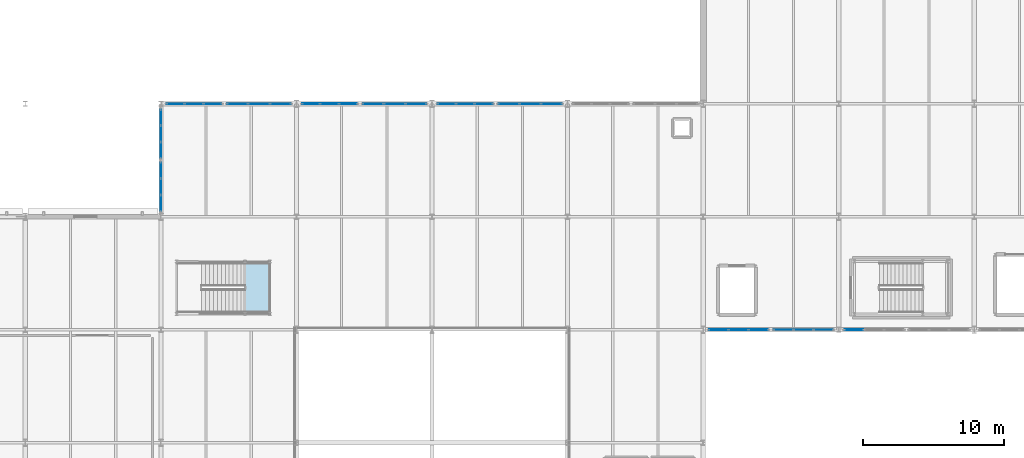
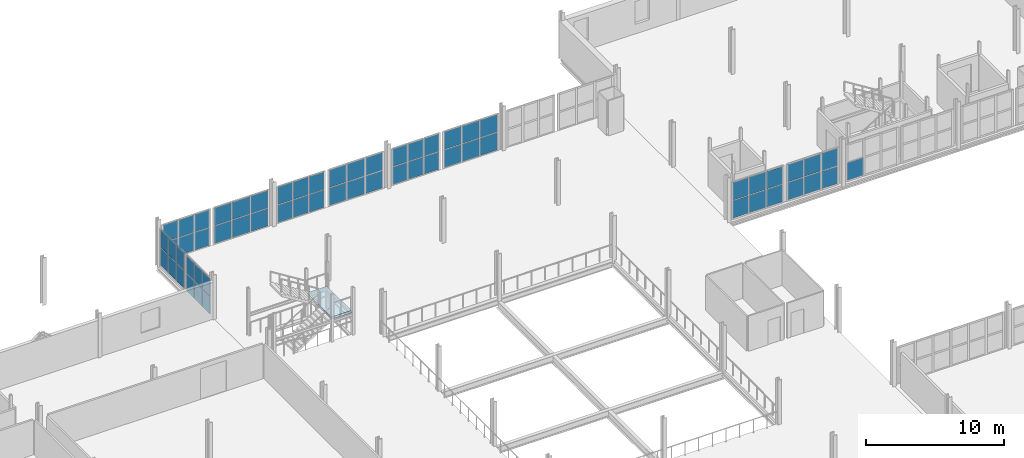
# One storey, part 51 of 78: 61 plates, 1 slab, 12 elements without a shape of their own.
"""IFC4 building model written with IfcOpenShell, lengths in metres."""

from ifc_helpers import new_model, si_unit, direction, frame, origin, origin_2d, place, context, subcontext, project, spatial, polyline, rectangle, outline, extrude, material, layer, layer_set, type_object, element, aggregate, save


model = new_model("IFC4")

# Units and contexts
model_context = context("Model", 3, precision=1e-05, world=origin(), true_north=direction((0.0, 1.0)))
body_context = subcontext(model_context, "Body", "Model", "MODEL_VIEW")
ifc_project = project(units=[si_unit("LENGTHUNIT", "METRE"), si_unit("AREAUNIT", "SQUARE_METRE"), si_unit("VOLUMEUNIT", "CUBIC_METRE"), si_unit("PLANEANGLEUNIT", "RADIAN"), si_unit("MASSUNIT", "GRAM", prefix="KILO")], contexts=[model_context])

# Site, building, storey
site_placement = place(None, origin())
site = spatial("IfcSite", under=ifc_project, at=site_placement, CompositionType="ELEMENT")
building_placement = place(site_placement, origin())
building = spatial("IfcBuilding", under=site, at=building_placement, Name="Alderhovde Museum", CompositionType="ELEMENT")
storey_placement = place(building_placement, frame((0.0, 0.0, 4.5)))
storey = spatial("IfcBuildingStorey", under=building, at=storey_placement, Name="L01", CompositionType="ELEMENT", Elevation=4.5)

# Curtain wall, plates
ifc_material_1 = material(Name="Triple-Glazed Bronze-Anodised Curtain Wall", Category="glass")
ifc_layer_1 = layer(ifc_material_1, 0.179931640625)
ifc_layer_set_1 = layer_set([ifc_layer_1], Name="Triple-Glazed Bronze-Anodised Curtain Wall")
curtain_wall_type_1 = type_object("IfcCurtainWallType", Name="CW-UNIT-459x326", PredefinedType="USERDEFINED", material=ifc_layer_set_1)
curtain_wall_1_placement = place(storey_placement, origin())
curtain_wall_1 = element("IfcCurtainWall", 1, at=curtain_wall_1_placement, inside=storey, type_object=curtain_wall_type_1, Name="L01 Unitised Curtain Wall 20", ObjectType="UNITISED CURTAIN WALL", PredefinedType="USERDEFINED")
ifc_material_2 = material(Name="Triple-Glazed Low-E Laminated Glass", Category="glass")
ifc_layer_2 = layer(ifc_material_2, 0.028076171875)
ifc_layer_set_2 = layer_set([ifc_layer_2], Name="Triple-Glazed Low-E Laminated Glass")
plate_type_1 = type_object("IfcPlateType", Name="CWP-GLAZ-28", PredefinedType="CURTAIN_PANEL", material=ifc_layer_set_2)
plate_1_placement = place(storey_placement, frame((91.8330078125, 88.0, 0.06494140625), z_axis=(0.0, 0.0, 1.0), x_axis=(1.0, 0.0, 0.0)))
plate_1 = element("IfcPlate", 2, at=plate_1_placement, type_object=plate_type_1, Name="CW09 panel 1.1", PredefinedType="CURTAIN_PANEL", context=body_context, shape_type="SweptSolid", body=[
    extrude(rectangle(XDim=1.435791015625, YDim=0.028076171875, at=origin_2d()), origin(), (0.0, 0.0, 1.0), 1.532470703125),
])
plate_2_placement = place(storey_placement, frame((91.8330078125, 88.0, 1.66259765625), z_axis=(0.0, 0.0, 1.0), x_axis=(1.0, 0.0, 0.0)))
plate_2 = element("IfcPlate", 3, at=plate_2_placement, type_object=plate_type_1, Name="CW09 panel 1.2", PredefinedType="CURTAIN_PANEL", context=body_context, shape_type="SweptSolid", body=[
    extrude(rectangle(XDim=1.435791015625, YDim=0.028076171875, at=origin_2d()), origin(), (0.0, 0.0, 1.0), 1.532470703125),
])
plate_3_placement = place(storey_placement, frame((93.35009765625, 88.0, 0.06494140625), z_axis=(0.0, 0.0, 1.0), x_axis=(1.0, 0.0, 0.0)))
plate_3 = element("IfcPlate", 4, at=plate_3_placement, type_object=plate_type_1, Name="CW09 panel 2.1", PredefinedType="CURTAIN_PANEL", context=body_context, shape_type="SweptSolid", body=[
    extrude(rectangle(XDim=1.46826171875, YDim=0.028076171875, at=origin_2d()), origin(), (0.0, 0.0, 1.0), 1.532470703125),
])
plate_4_placement = place(storey_placement, frame((93.35009765625, 88.0, 1.66259765625), z_axis=(0.0, 0.0, 1.0), x_axis=(1.0, 0.0, 0.0)))
plate_4 = element("IfcPlate", 5, at=plate_4_placement, type_object=plate_type_1, Name="CW09 panel 2.2", PredefinedType="CURTAIN_PANEL", context=body_context, shape_type="SweptSolid", body=[
    extrude(rectangle(XDim=1.46826171875, YDim=0.028076171875, at=origin_2d()), origin(), (0.0, 0.0, 1.0), 1.532470703125),
])
plate_5_placement = place(storey_placement, frame((94.8671875, 88.0, 0.06494140625), z_axis=(0.0, 0.0, 1.0), x_axis=(1.0, 0.0, 0.0)))
plate_5 = element("IfcPlate", 6, at=plate_5_placement, type_object=plate_type_1, Name="CW09 panel 3.1", PredefinedType="CURTAIN_PANEL", context=body_context, shape_type="SweptSolid", body=[
    extrude(rectangle(XDim=1.435791015625, YDim=0.028076171875, at=origin_2d()), origin(), (0.0, 0.0, 1.0), 1.532470703125),
])
plate_6_placement = place(storey_placement, frame((94.8671875, 88.0, 1.66259765625), z_axis=(0.0, 0.0, 1.0), x_axis=(1.0, 0.0, 0.0)))
plate_6 = element("IfcPlate", 7, at=plate_6_placement, type_object=plate_type_1, Name="CW09 panel 3.2", PredefinedType="CURTAIN_PANEL", context=body_context, shape_type="SweptSolid", body=[
    extrude(rectangle(XDim=1.435791015625, YDim=0.028076171875, at=origin_2d()), origin(), (0.0, 0.0, 1.0), 1.532470703125),
])
aggregate(curtain_wall_1, [plate_1, plate_2, plate_3, plate_4, plate_5, plate_6])

ifc_material_3 = material(Name="Triple-Glazed Bronze-Anodised Curtain Wall", Category="glass")
ifc_layer_3 = layer(ifc_material_3, 0.179931640625)
ifc_layer_set_3 = layer_set([ifc_layer_3], Name="Triple-Glazed Bronze-Anodised Curtain Wall")
curtain_wall_type_2 = type_object("IfcCurtainWallType", Name="CW-STIC-430x326", PredefinedType="USERDEFINED", material=ifc_layer_set_3)
curtain_wall_2_placement = place(storey_placement, origin())
curtain_wall_2 = element("IfcCurtainWall", 8, at=curtain_wall_2_placement, inside=storey, type_object=curtain_wall_type_2, Name="L01 Stick Curtain Wall 144", ObjectType="STICK CURTAIN WALL", PredefinedType="USERDEFINED")
plate_7_placement = place(storey_placement, frame((120.8828125, 72.0, 0.06494140625), z_axis=(0.0, 0.0, 1.0), x_axis=(1.0, 0.0, 0.0)))
plate_7 = element("IfcPlate", 9, at=plate_7_placement, type_object=plate_type_1, Name="CW34 panel 1.1", PredefinedType="CURTAIN_PANEL", context=body_context, shape_type="SweptSolid", body=[
    extrude(rectangle(XDim=1.3359375, YDim=0.028076171875, at=origin_2d()), origin(), (0.0, 0.0, 1.0), 1.532470703125),
])
plate_8_placement = place(storey_placement, frame((120.8828125, 72.0, 1.66259765625), z_axis=(0.0, 0.0, 1.0), x_axis=(1.0, 0.0, 0.0)))
plate_8 = element("IfcPlate", 10, at=plate_8_placement, type_object=plate_type_1, Name="CW34 panel 1.2", PredefinedType="CURTAIN_PANEL", context=body_context, shape_type="SweptSolid", body=[
    extrude(rectangle(XDim=1.3359375, YDim=0.028076171875, at=origin_2d()), origin(), (0.0, 0.0, 1.0), 1.532470703125),
])
plate_9_placement = place(storey_placement, frame((122.300048828125, 72.0, 0.06494140625), z_axis=(0.0, 0.0, 1.0), x_axis=(1.0, 0.0, 0.0)))
plate_9 = element("IfcPlate", 11, at=plate_9_placement, type_object=plate_type_1, Name="CW34 panel 2.1", PredefinedType="CURTAIN_PANEL", context=body_context, shape_type="SweptSolid", body=[
    extrude(rectangle(XDim=1.368408203125, YDim=0.028076171875, at=origin_2d()), origin(), (0.0, 0.0, 1.0), 1.532470703125),
])
plate_10_placement = place(storey_placement, frame((122.300048828125, 72.0, 1.66259765625), z_axis=(0.0, 0.0, 1.0), x_axis=(1.0, 0.0, 0.0)))
plate_10 = element("IfcPlate", 12, at=plate_10_placement, type_object=plate_type_1, Name="CW34 panel 2.2", PredefinedType="CURTAIN_PANEL", context=body_context, shape_type="SweptSolid", body=[
    extrude(rectangle(XDim=1.368408203125, YDim=0.028076171875, at=origin_2d()), origin(), (0.0, 0.0, 1.0), 1.532470703125),
])
plate_11_placement = place(storey_placement, frame((123.717041015625, 72.0, 0.06494140625), z_axis=(0.0, 0.0, 1.0), x_axis=(1.0, 0.0, 0.0)))
plate_11 = element("IfcPlate", 13, at=plate_11_placement, type_object=plate_type_1, Name="CW34 panel 3.1", PredefinedType="CURTAIN_PANEL", context=body_context, shape_type="SweptSolid", body=[
    extrude(rectangle(XDim=1.3359375, YDim=0.028076171875, at=origin_2d()), origin(), (0.0, 0.0, 1.0), 1.532470703125),
])
plate_12_placement = place(storey_placement, frame((123.717041015625, 72.0, 1.66259765625), z_axis=(0.0, 0.0, 1.0), x_axis=(1.0, 0.0, 0.0)))
plate_12 = element("IfcPlate", 14, at=plate_12_placement, type_object=plate_type_1, Name="CW34 panel 3.2", PredefinedType="CURTAIN_PANEL", context=body_context, shape_type="SweptSolid", body=[
    extrude(rectangle(XDim=1.3359375, YDim=0.028076171875, at=origin_2d()), origin(), (0.0, 0.0, 1.0), 1.532470703125),
])
aggregate(curtain_wall_2, [plate_7, plate_8, plate_9, plate_10, plate_11, plate_12])

ifc_material_4 = material(Name="Triple-Glazed Bronze-Anodised Curtain Wall", Category="glass")
ifc_layer_4 = layer(ifc_material_4, 0.179931640625)
ifc_layer_set_4 = layer_set([ifc_layer_4], Name="Triple-Glazed Bronze-Anodised Curtain Wall")
curtain_wall_type_3 = type_object("IfcCurtainWallType", Name="CW-UNIT-400x326", PredefinedType="USERDEFINED", material=ifc_layer_set_4)
curtain_wall_3_placement = place(storey_placement, origin())
curtain_wall_3 = element("IfcCurtainWall", 15, at=curtain_wall_3_placement, inside=storey, type_object=curtain_wall_type_3, Name="L01 Unitised Curtain Wall 17", ObjectType="UNITISED CURTAIN WALL", PredefinedType="USERDEFINED")
ifc_material_5 = material(Name="Triple-Glazed Low-E Laminated Glass", Category="glass")
ifc_layer_5 = layer(ifc_material_5, 0.035888671875)
ifc_layer_set_5 = layer_set([ifc_layer_5], Name="Triple-Glazed Low-E Laminated Glass")
plate_type_2 = type_object("IfcPlateType", Name="CWP-GLAZ-36", PredefinedType="CURTAIN_PANEL", material=ifc_layer_set_5)
plate_13_placement = place(storey_placement, frame((77.8330078125, 88.0, 0.06494140625), z_axis=(0.0, 0.0, 1.0), x_axis=(1.0, 0.0, 0.0)))
plate_13 = element("IfcPlate", 16, at=plate_13_placement, type_object=plate_type_2, Name="CW08 panel 1.1", PredefinedType="CURTAIN_PANEL", context=body_context, shape_type="SweptSolid", body=[
    extrude(rectangle(XDim=1.23583984375, YDim=0.035888671875, at=origin_2d()), origin(), (0.0, 0.0, 1.0), 1.532470703125),
])
plate_14_placement = place(storey_placement, frame((77.8330078125, 88.0, 1.66259765625), z_axis=(0.0, 0.0, 1.0), x_axis=(1.0, 0.0, 0.0)))
plate_14 = element("IfcPlate", 17, at=plate_14_placement, type_object=plate_type_2, Name="CW08 panel 1.2", PredefinedType="CURTAIN_PANEL", context=body_context, shape_type="SweptSolid", body=[
    extrude(rectangle(XDim=1.23583984375, YDim=0.035888671875, at=origin_2d()), origin(), (0.0, 0.0, 1.0), 1.532470703125),
])
plate_15_placement = place(storey_placement, frame((79.14990234375, 88.0, 0.06494140625), z_axis=(0.0, 0.0, 1.0), x_axis=(1.0, 0.0, 0.0)))
plate_15 = element("IfcPlate", 18, at=plate_15_placement, type_object=plate_type_2, Name="CW08 panel 2.1", PredefinedType="CURTAIN_PANEL", context=body_context, shape_type="SweptSolid", body=[
    extrude(rectangle(XDim=1.268310546875, YDim=0.035888671875, at=origin_2d()), origin(), (0.0, 0.0, 1.0), 1.532470703125),
])
plate_16_placement = place(storey_placement, frame((79.14990234375, 88.0, 1.66259765625), z_axis=(0.0, 0.0, 1.0), x_axis=(1.0, 0.0, 0.0)))
plate_16 = element("IfcPlate", 19, at=plate_16_placement, type_object=plate_type_2, Name="CW08 panel 2.2", PredefinedType="CURTAIN_PANEL", context=body_context, shape_type="SweptSolid", body=[
    extrude(rectangle(XDim=1.268310546875, YDim=0.035888671875, at=origin_2d()), origin(), (0.0, 0.0, 1.0), 1.532470703125),
])
plate_17_placement = place(storey_placement, frame((80.467041015625, 88.0, 0.06494140625), z_axis=(0.0, 0.0, 1.0), x_axis=(1.0, 0.0, 0.0)))
plate_17 = element("IfcPlate", 20, at=plate_17_placement, type_object=plate_type_2, Name="CW08 panel 3.1", PredefinedType="CURTAIN_PANEL", context=body_context, shape_type="SweptSolid", body=[
    extrude(rectangle(XDim=1.23583984375, YDim=0.035888671875, at=origin_2d()), origin(), (0.0, 0.0, 1.0), 1.532470703125),
])
plate_18_placement = place(storey_placement, frame((80.467041015625, 88.0, 1.66259765625), z_axis=(0.0, 0.0, 1.0), x_axis=(1.0, 0.0, 0.0)))
plate_18 = element("IfcPlate", 21, at=plate_18_placement, type_object=plate_type_2, Name="CW08 panel 3.2", PredefinedType="CURTAIN_PANEL", context=body_context, shape_type="SweptSolid", body=[
    extrude(rectangle(XDim=1.23583984375, YDim=0.035888671875, at=origin_2d()), origin(), (0.0, 0.0, 1.0), 1.532470703125),
])
aggregate(curtain_wall_3, [plate_13, plate_14, plate_15, plate_16, plate_17, plate_18])

curtain_wall_4_placement = place(storey_placement, origin())
curtain_wall_4 = element("IfcCurtainWall", 22, at=curtain_wall_4_placement, inside=storey, type_object=curtain_wall_type_3, Name="L01 Unitised Curtain Wall 21", ObjectType="UNITISED CURTAIN WALL", PredefinedType="USERDEFINED")
plate_19_placement = place(storey_placement, frame((97.032958984375, 88.0, 0.06494140625), z_axis=(0.0, 0.0, 1.0), x_axis=(1.0, 0.0, 0.0)))
plate_19 = element("IfcPlate", 23, at=plate_19_placement, type_object=plate_type_2, Name="CW08 panel 1.1", PredefinedType="CURTAIN_PANEL", context=body_context, shape_type="SweptSolid", body=[
    extrude(rectangle(XDim=1.23583984375, YDim=0.035888671875, at=origin_2d()), origin(), (0.0, 0.0, 1.0), 1.532470703125),
])
plate_20_placement = place(storey_placement, frame((97.032958984375, 88.0, 1.66259765625), z_axis=(0.0, 0.0, 1.0), x_axis=(1.0, 0.0, 0.0)))
plate_20 = element("IfcPlate", 24, at=plate_20_placement, type_object=plate_type_2, Name="CW08 panel 1.2", PredefinedType="CURTAIN_PANEL", context=body_context, shape_type="SweptSolid", body=[
    extrude(rectangle(XDim=1.23583984375, YDim=0.035888671875, at=origin_2d()), origin(), (0.0, 0.0, 1.0), 1.532470703125),
])
plate_21_placement = place(storey_placement, frame((98.35009765625, 88.0, 0.06494140625), z_axis=(0.0, 0.0, 1.0), x_axis=(1.0, 0.0, 0.0)))
plate_21 = element("IfcPlate", 25, at=plate_21_placement, type_object=plate_type_2, Name="CW08 panel 2.1", PredefinedType="CURTAIN_PANEL", context=body_context, shape_type="SweptSolid", body=[
    extrude(rectangle(XDim=1.268310546875, YDim=0.035888671875, at=origin_2d()), origin(), (0.0, 0.0, 1.0), 1.532470703125),
])
plate_22_placement = place(storey_placement, frame((98.35009765625, 88.0, 1.66259765625), z_axis=(0.0, 0.0, 1.0), x_axis=(1.0, 0.0, 0.0)))
plate_22 = element("IfcPlate", 26, at=plate_22_placement, type_object=plate_type_2, Name="CW08 panel 2.2", PredefinedType="CURTAIN_PANEL", context=body_context, shape_type="SweptSolid", body=[
    extrude(rectangle(XDim=1.268310546875, YDim=0.035888671875, at=origin_2d()), origin(), (0.0, 0.0, 1.0), 1.532470703125),
])
plate_23_placement = place(storey_placement, frame((99.6669921875, 88.0, 0.06494140625), z_axis=(0.0, 0.0, 1.0), x_axis=(1.0, 0.0, 0.0)))
plate_23 = element("IfcPlate", 27, at=plate_23_placement, type_object=plate_type_2, Name="CW08 panel 3.1", PredefinedType="CURTAIN_PANEL", context=body_context, shape_type="SweptSolid", body=[
    extrude(rectangle(XDim=1.23583984375, YDim=0.035888671875, at=origin_2d()), origin(), (0.0, 0.0, 1.0), 1.532470703125),
])
plate_24_placement = place(storey_placement, frame((99.6669921875, 88.0, 1.66259765625), z_axis=(0.0, 0.0, 1.0), x_axis=(1.0, 0.0, 0.0)))
plate_24 = element("IfcPlate", 28, at=plate_24_placement, type_object=plate_type_2, Name="CW08 panel 3.2", PredefinedType="CURTAIN_PANEL", context=body_context, shape_type="SweptSolid", body=[
    extrude(rectangle(XDim=1.23583984375, YDim=0.035888671875, at=origin_2d()), origin(), (0.0, 0.0, 1.0), 1.532470703125),
])
aggregate(curtain_wall_4, [plate_19, plate_20, plate_21, plate_22, plate_23, plate_24])

ifc_material_6 = material(Name="Triple-Glazed Bronze-Anodised Curtain Wall", Category="glass")
ifc_layer_6 = layer(ifc_material_6, 0.219970703125)
ifc_layer_set_6 = layer_set([ifc_layer_6], Name="Triple-Glazed Bronze-Anodised Curtain Wall")
curtain_wall_type_4 = type_object("IfcCurtainWallType", Name="CW-STIC-355x326", PredefinedType="USERDEFINED", material=ifc_layer_set_6)
curtain_wall_5_placement = place(storey_placement, origin())
curtain_wall_5 = element("IfcCurtainWall", 29, at=curtain_wall_5_placement, inside=storey, type_object=curtain_wall_type_4, Name="L01 Stick Curtain Wall 25", ObjectType="STICK CURTAIN WALL", PredefinedType="USERDEFINED")
plate_25_placement = place(storey_placement, frame((76.800048828125, 80.9580078125, 0.06494140625), z_axis=(0.0, 0.0, 1.0), x_axis=(0.0, 1.0, 0.0)))
plate_25 = element("IfcPlate", 30, at=plate_25_placement, type_object=plate_type_2, Name="CW05 panel 1.1", PredefinedType="CURTAIN_PANEL", context=body_context, shape_type="SweptSolid", body=[
    extrude(rectangle(XDim=1.0859375, YDim=0.035888671875, at=origin_2d()), origin(), (0.0, 0.0, 1.0), 1.532470703125),
])
plate_26_placement = place(storey_placement, frame((76.800048828125, 80.9580078125, 1.66259765625), z_axis=(0.0, 0.0, 1.0), x_axis=(0.0, 1.0, 0.0)))
plate_26 = element("IfcPlate", 31, at=plate_26_placement, type_object=plate_type_2, Name="CW05 panel 1.2", PredefinedType="CURTAIN_PANEL", context=body_context, shape_type="SweptSolid", body=[
    extrude(rectangle(XDim=1.0859375, YDim=0.035888671875, at=origin_2d()), origin(), (0.0, 0.0, 1.0), 1.532470703125),
])
plate_27_placement = place(storey_placement, frame((76.800048828125, 82.125, 0.06494140625), z_axis=(0.0, 0.0, 1.0), x_axis=(0.0, 1.0, 0.0)))
plate_27 = element("IfcPlate", 32, at=plate_27_placement, type_object=plate_type_2, Name="CW05 panel 2.1", PredefinedType="CURTAIN_PANEL", context=body_context, shape_type="SweptSolid", body=[
    extrude(rectangle(XDim=1.118408203125, YDim=0.035888671875, at=origin_2d()), origin(), (0.0, 0.0, 1.0), 1.532470703125),
])
plate_28_placement = place(storey_placement, frame((76.800048828125, 82.125, 1.66259765625), z_axis=(0.0, 0.0, 1.0), x_axis=(0.0, 1.0, 0.0)))
plate_28 = element("IfcPlate", 33, at=plate_28_placement, type_object=plate_type_2, Name="CW05 panel 2.2", PredefinedType="CURTAIN_PANEL", context=body_context, shape_type="SweptSolid", body=[
    extrude(rectangle(XDim=1.118408203125, YDim=0.035888671875, at=origin_2d()), origin(), (0.0, 0.0, 1.0), 1.532470703125),
])
plate_29_placement = place(storey_placement, frame((76.800048828125, 83.2919921875, 0.06494140625), z_axis=(0.0, 0.0, 1.0), x_axis=(0.0, 1.0, 0.0)))
plate_29 = element("IfcPlate", 34, at=plate_29_placement, type_object=plate_type_2, Name="CW05 panel 3.1", PredefinedType="CURTAIN_PANEL", context=body_context, shape_type="SweptSolid", body=[
    extrude(rectangle(XDim=1.0859375, YDim=0.035888671875, at=origin_2d()), origin(), (0.0, 0.0, 1.0), 1.532470703125),
])
plate_30_placement = place(storey_placement, frame((76.800048828125, 83.2919921875, 1.66259765625), z_axis=(0.0, 0.0, 1.0), x_axis=(0.0, 1.0, 0.0)))
plate_30 = element("IfcPlate", 35, at=plate_30_placement, type_object=plate_type_2, Name="CW05 panel 3.2", PredefinedType="CURTAIN_PANEL", context=body_context, shape_type="SweptSolid", body=[
    extrude(rectangle(XDim=1.0859375, YDim=0.035888671875, at=origin_2d()), origin(), (0.0, 0.0, 1.0), 1.532470703125),
])
aggregate(curtain_wall_5, [plate_25, plate_26, plate_27, plate_28, plate_29, plate_30])

curtain_wall_6_placement = place(storey_placement, origin())
curtain_wall_6 = element("IfcCurtainWall", 36, at=curtain_wall_6_placement, inside=storey, type_object=curtain_wall_type_1, Name="L01 Unitised Curtain Wall 18", ObjectType="UNITISED CURTAIN WALL", PredefinedType="USERDEFINED")
ifc_material_7 = material(Name="Triple-Glazed Low-E Laminated Glass", Category="glass")
ifc_layer_7 = layer(ifc_material_7, 0.0439453125)
ifc_layer_set_7 = layer_set([ifc_layer_7], Name="Triple-Glazed Low-E Laminated Glass")
plate_type_3 = type_object("IfcPlateType", Name="CWP-GLAZ-44", PredefinedType="CURTAIN_PANEL", material=ifc_layer_set_7)
plate_31_placement = place(storey_placement, frame((82.23291015625, 88.0, 0.06494140625), z_axis=(0.0, 0.0, 1.0), x_axis=(1.0, 0.0, 0.0)))
plate_31 = element("IfcPlate", 37, at=plate_31_placement, type_object=plate_type_3, Name="CW09 panel 1.1", PredefinedType="CURTAIN_PANEL", context=body_context, shape_type="SweptSolid", body=[
    extrude(rectangle(XDim=1.435791015625, YDim=0.0439453125, at=origin_2d()), origin(), (0.0, 0.0, 1.0), 1.532470703125),
])
plate_32_placement = place(storey_placement, frame((82.23291015625, 88.0, 1.66259765625), z_axis=(0.0, 0.0, 1.0), x_axis=(1.0, 0.0, 0.0)))
plate_32 = element("IfcPlate", 38, at=plate_32_placement, type_object=plate_type_3, Name="CW09 panel 1.2", PredefinedType="CURTAIN_PANEL", context=body_context, shape_type="SweptSolid", body=[
    extrude(rectangle(XDim=1.435791015625, YDim=0.0439453125, at=origin_2d()), origin(), (0.0, 0.0, 1.0), 1.532470703125),
])
plate_33_placement = place(storey_placement, frame((83.75, 88.0, 0.06494140625), z_axis=(0.0, 0.0, 1.0), x_axis=(1.0, 0.0, 0.0)))
plate_33 = element("IfcPlate", 39, at=plate_33_placement, type_object=plate_type_3, Name="CW09 panel 2.1", PredefinedType="CURTAIN_PANEL", context=body_context, shape_type="SweptSolid", body=[
    extrude(rectangle(XDim=1.46826171875, YDim=0.0439453125, at=origin_2d()), origin(), (0.0, 0.0, 1.0), 1.532470703125),
])
plate_34_placement = place(storey_placement, frame((83.75, 88.0, 1.66259765625), z_axis=(0.0, 0.0, 1.0), x_axis=(1.0, 0.0, 0.0)))
plate_34 = element("IfcPlate", 40, at=plate_34_placement, type_object=plate_type_3, Name="CW09 panel 2.2", PredefinedType="CURTAIN_PANEL", context=body_context, shape_type="SweptSolid", body=[
    extrude(rectangle(XDim=1.46826171875, YDim=0.0439453125, at=origin_2d()), origin(), (0.0, 0.0, 1.0), 1.532470703125),
])
plate_35_placement = place(storey_placement, frame((85.26708984375, 88.0, 0.06494140625), z_axis=(0.0, 0.0, 1.0), x_axis=(1.0, 0.0, 0.0)))
plate_35 = element("IfcPlate", 41, at=plate_35_placement, type_object=plate_type_3, Name="CW09 panel 3.1", PredefinedType="CURTAIN_PANEL", context=body_context, shape_type="SweptSolid", body=[
    extrude(rectangle(XDim=1.435791015625, YDim=0.0439453125, at=origin_2d()), origin(), (0.0, 0.0, 1.0), 1.532470703125),
])
plate_36_placement = place(storey_placement, frame((85.26708984375, 88.0, 1.66259765625), z_axis=(0.0, 0.0, 1.0), x_axis=(1.0, 0.0, 0.0)))
plate_36 = element("IfcPlate", 42, at=plate_36_placement, type_object=plate_type_3, Name="CW09 panel 3.2", PredefinedType="CURTAIN_PANEL", context=body_context, shape_type="SweptSolid", body=[
    extrude(rectangle(XDim=1.435791015625, YDim=0.0439453125, at=origin_2d()), origin(), (0.0, 0.0, 1.0), 1.532470703125),
])
aggregate(curtain_wall_6, [plate_31, plate_32, plate_33, plate_34, plate_35, plate_36])

curtain_wall_7_placement = place(storey_placement, origin())
curtain_wall_7 = element("IfcCurtainWall", 43, at=curtain_wall_7_placement, inside=storey, type_object=curtain_wall_type_1, Name="L01 Unitised Curtain Wall 22", ObjectType="UNITISED CURTAIN WALL", PredefinedType="USERDEFINED")
plate_37_placement = place(storey_placement, frame((101.432861328125, 88.0, 0.06494140625), z_axis=(0.0, 0.0, 1.0), x_axis=(1.0, 0.0, 0.0)))
plate_37 = element("IfcPlate", 44, at=plate_37_placement, type_object=plate_type_3, Name="CW09 panel 1.1", PredefinedType="CURTAIN_PANEL", context=body_context, shape_type="SweptSolid", body=[
    extrude(rectangle(XDim=1.435791015625, YDim=0.0439453125, at=origin_2d()), origin(), (0.0, 0.0, 1.0), 1.532470703125),
])
plate_38_placement = place(storey_placement, frame((101.432861328125, 88.0, 1.66259765625), z_axis=(0.0, 0.0, 1.0), x_axis=(1.0, 0.0, 0.0)))
plate_38 = element("IfcPlate", 45, at=plate_38_placement, type_object=plate_type_3, Name="CW09 panel 1.2", PredefinedType="CURTAIN_PANEL", context=body_context, shape_type="SweptSolid", body=[
    extrude(rectangle(XDim=1.435791015625, YDim=0.0439453125, at=origin_2d()), origin(), (0.0, 0.0, 1.0), 1.532470703125),
])
plate_39_placement = place(storey_placement, frame((102.949951171875, 88.0, 0.06494140625), z_axis=(0.0, 0.0, 1.0), x_axis=(1.0, 0.0, 0.0)))
plate_39 = element("IfcPlate", 46, at=plate_39_placement, type_object=plate_type_3, Name="CW09 panel 2.1", PredefinedType="CURTAIN_PANEL", context=body_context, shape_type="SweptSolid", body=[
    extrude(rectangle(XDim=1.46826171875, YDim=0.0439453125, at=origin_2d()), origin(), (0.0, 0.0, 1.0), 1.532470703125),
])
plate_40_placement = place(storey_placement, frame((102.949951171875, 88.0, 1.66259765625), z_axis=(0.0, 0.0, 1.0), x_axis=(1.0, 0.0, 0.0)))
plate_40 = element("IfcPlate", 47, at=plate_40_placement, type_object=plate_type_3, Name="CW09 panel 2.2", PredefinedType="CURTAIN_PANEL", context=body_context, shape_type="SweptSolid", body=[
    extrude(rectangle(XDim=1.46826171875, YDim=0.0439453125, at=origin_2d()), origin(), (0.0, 0.0, 1.0), 1.532470703125),
])
plate_41_placement = place(storey_placement, frame((104.467041015625, 88.0, 0.06494140625), z_axis=(0.0, 0.0, 1.0), x_axis=(1.0, 0.0, 0.0)))
plate_41 = element("IfcPlate", 48, at=plate_41_placement, type_object=plate_type_3, Name="CW09 panel 3.1", PredefinedType="CURTAIN_PANEL", context=body_context, shape_type="SweptSolid", body=[
    extrude(rectangle(XDim=1.435791015625, YDim=0.0439453125, at=origin_2d()), origin(), (0.0, 0.0, 1.0), 1.532470703125),
])
plate_42_placement = place(storey_placement, frame((104.467041015625, 88.0, 1.66259765625), z_axis=(0.0, 0.0, 1.0), x_axis=(1.0, 0.0, 0.0)))
plate_42 = element("IfcPlate", 49, at=plate_42_placement, type_object=plate_type_3, Name="CW09 panel 3.2", PredefinedType="CURTAIN_PANEL", context=body_context, shape_type="SweptSolid", body=[
    extrude(rectangle(XDim=1.435791015625, YDim=0.0439453125, at=origin_2d()), origin(), (0.0, 0.0, 1.0), 1.532470703125),
])
aggregate(curtain_wall_7, [plate_37, plate_38, plate_39, plate_40, plate_41, plate_42])

curtain_wall_8_placement = place(storey_placement, origin())
curtain_wall_8 = element("IfcCurtainWall", 50, at=curtain_wall_8_placement, inside=storey, type_object=curtain_wall_type_4, Name="L01 Stick Curtain Wall 26", ObjectType="STICK CURTAIN WALL", PredefinedType="USERDEFINED")
plate_43_placement = place(storey_placement, frame((76.800048828125, 84.7080078125, 0.06494140625), z_axis=(0.0, 0.0, 1.0), x_axis=(0.0, 1.0, 0.0)))
plate_43 = element("IfcPlate", 51, at=plate_43_placement, type_object=plate_type_3, Name="CW05 panel 1.1", PredefinedType="CURTAIN_PANEL", context=body_context, shape_type="SweptSolid", body=[
    extrude(rectangle(XDim=1.0859375, YDim=0.0439453125, at=origin_2d()), origin(), (0.0, 0.0, 1.0), 1.532470703125),
])
plate_44_placement = place(storey_placement, frame((76.800048828125, 84.7080078125, 1.66259765625), z_axis=(0.0, 0.0, 1.0), x_axis=(0.0, 1.0, 0.0)))
plate_44 = element("IfcPlate", 52, at=plate_44_placement, type_object=plate_type_3, Name="CW05 panel 1.2", PredefinedType="CURTAIN_PANEL", context=body_context, shape_type="SweptSolid", body=[
    extrude(rectangle(XDim=1.0859375, YDim=0.0439453125, at=origin_2d()), origin(), (0.0, 0.0, 1.0), 1.532470703125),
])
plate_45_placement = place(storey_placement, frame((76.800048828125, 85.875, 0.06494140625), z_axis=(0.0, 0.0, 1.0), x_axis=(0.0, 1.0, 0.0)))
plate_45 = element("IfcPlate", 53, at=plate_45_placement, type_object=plate_type_3, Name="CW05 panel 2.1", PredefinedType="CURTAIN_PANEL", context=body_context, shape_type="SweptSolid", body=[
    extrude(rectangle(XDim=1.118408203125, YDim=0.0439453125, at=origin_2d()), origin(), (0.0, 0.0, 1.0), 1.532470703125),
])
plate_46_placement = place(storey_placement, frame((76.800048828125, 85.875, 1.66259765625), z_axis=(0.0, 0.0, 1.0), x_axis=(0.0, 1.0, 0.0)))
plate_46 = element("IfcPlate", 54, at=plate_46_placement, type_object=plate_type_3, Name="CW05 panel 2.2", PredefinedType="CURTAIN_PANEL", context=body_context, shape_type="SweptSolid", body=[
    extrude(rectangle(XDim=1.118408203125, YDim=0.0439453125, at=origin_2d()), origin(), (0.0, 0.0, 1.0), 1.532470703125),
])
plate_47_placement = place(storey_placement, frame((76.800048828125, 87.0419921875, 0.06494140625), z_axis=(0.0, 0.0, 1.0), x_axis=(0.0, 1.0, 0.0)))
plate_47 = element("IfcPlate", 55, at=plate_47_placement, type_object=plate_type_3, Name="CW05 panel 3.1", PredefinedType="CURTAIN_PANEL", context=body_context, shape_type="SweptSolid", body=[
    extrude(rectangle(XDim=1.0859375, YDim=0.0439453125, at=origin_2d()), origin(), (0.0, 0.0, 1.0), 1.532470703125),
])
plate_48_placement = place(storey_placement, frame((76.800048828125, 87.0419921875, 1.66259765625), z_axis=(0.0, 0.0, 1.0), x_axis=(0.0, 1.0, 0.0)))
plate_48 = element("IfcPlate", 56, at=plate_48_placement, type_object=plate_type_3, Name="CW05 panel 3.2", PredefinedType="CURTAIN_PANEL", context=body_context, shape_type="SweptSolid", body=[
    extrude(rectangle(XDim=1.0859375, YDim=0.0439453125, at=origin_2d()), origin(), (0.0, 0.0, 1.0), 1.532470703125),
])
aggregate(curtain_wall_8, [plate_43, plate_44, plate_45, plate_46, plate_47, plate_48])

# Curtain wall, plate
curtain_wall_9_placement = place(storey_placement, origin())
curtain_wall_9 = element("IfcCurtainWall", 57, at=curtain_wall_9_placement, inside=storey, type_object=curtain_wall_type_2, Name="L01 Stick Curtain Wall 146", ObjectType="STICK CURTAIN WALL", PredefinedType="USERDEFINED")
plate_49_placement = place(storey_placement, frame((125.8828125, 72.0, 0.06494140625), z_axis=(0.0, 0.0, 1.0), x_axis=(1.0, 0.0, 0.0)))
plate_49 = element("IfcPlate", 58, at=plate_49_placement, type_object=plate_type_3, Name="CW34 panel 1.1", PredefinedType="CURTAIN_PANEL", context=body_context, shape_type="SweptSolid", body=[
    extrude(rectangle(XDim=1.3359375, YDim=0.0439453125, at=origin_2d()), origin(), (0.0, 0.0, 1.0), 1.532470703125),
])
aggregate(curtain_wall_9, [plate_49])

# Curtain wall, plates
curtain_wall_10_placement = place(storey_placement, origin())
curtain_wall_10 = element("IfcCurtainWall", 59, at=curtain_wall_10_placement, inside=storey, type_object=curtain_wall_type_3, Name="L01 Unitised Curtain Wall 19", ObjectType="UNITISED CURTAIN WALL", PredefinedType="USERDEFINED")
ifc_material_8 = material(Name="Triple-Glazed Low-E Laminated Glass", Category="glass")
ifc_layer_8 = layer(ifc_material_8, 0.052001953125)
ifc_layer_set_8 = layer_set([ifc_layer_8], Name="Triple-Glazed Low-E Laminated Glass")
plate_type_4 = type_object("IfcPlateType", Name="CWP-GLAZ-52", PredefinedType="CURTAIN_PANEL", material=ifc_layer_set_8)
plate_50_placement = place(storey_placement, frame((87.432861328125, 88.0, 0.06494140625), z_axis=(0.0, 0.0, 1.0), x_axis=(1.0, 0.0, 0.0)))
plate_50 = element("IfcPlate", 60, at=plate_50_placement, type_object=plate_type_4, Name="CW08 panel 1.1", PredefinedType="CURTAIN_PANEL", context=body_context, shape_type="SweptSolid", body=[
    extrude(rectangle(XDim=1.23583984375, YDim=0.052001953125, at=origin_2d()), origin(), (0.0, 0.0, 1.0), 1.532470703125),
])
plate_51_placement = place(storey_placement, frame((87.432861328125, 88.0, 1.66259765625), z_axis=(0.0, 0.0, 1.0), x_axis=(1.0, 0.0, 0.0)))
plate_51 = element("IfcPlate", 61, at=plate_51_placement, type_object=plate_type_4, Name="CW08 panel 1.2", PredefinedType="CURTAIN_PANEL", context=body_context, shape_type="SweptSolid", body=[
    extrude(rectangle(XDim=1.23583984375, YDim=0.052001953125, at=origin_2d()), origin(), (0.0, 0.0, 1.0), 1.532470703125),
])
plate_52_placement = place(storey_placement, frame((88.75, 88.0, 0.06494140625), z_axis=(0.0, 0.0, 1.0), x_axis=(1.0, 0.0, 0.0)))
plate_52 = element("IfcPlate", 62, at=plate_52_placement, type_object=plate_type_4, Name="CW08 panel 2.1", PredefinedType="CURTAIN_PANEL", context=body_context, shape_type="SweptSolid", body=[
    extrude(rectangle(XDim=1.268310546875, YDim=0.052001953125, at=origin_2d()), origin(), (0.0, 0.0, 1.0), 1.532470703125),
])
plate_53_placement = place(storey_placement, frame((88.75, 88.0, 1.66259765625), z_axis=(0.0, 0.0, 1.0), x_axis=(1.0, 0.0, 0.0)))
plate_53 = element("IfcPlate", 63, at=plate_53_placement, type_object=plate_type_4, Name="CW08 panel 2.2", PredefinedType="CURTAIN_PANEL", context=body_context, shape_type="SweptSolid", body=[
    extrude(rectangle(XDim=1.268310546875, YDim=0.052001953125, at=origin_2d()), origin(), (0.0, 0.0, 1.0), 1.532470703125),
])
plate_54_placement = place(storey_placement, frame((90.067138671875, 88.0, 0.06494140625), z_axis=(0.0, 0.0, 1.0), x_axis=(1.0, 0.0, 0.0)))
plate_54 = element("IfcPlate", 64, at=plate_54_placement, type_object=plate_type_4, Name="CW08 panel 3.1", PredefinedType="CURTAIN_PANEL", context=body_context, shape_type="SweptSolid", body=[
    extrude(rectangle(XDim=1.23583984375, YDim=0.052001953125, at=origin_2d()), origin(), (0.0, 0.0, 1.0), 1.532470703125),
])
plate_55_placement = place(storey_placement, frame((90.067138671875, 88.0, 1.66259765625), z_axis=(0.0, 0.0, 1.0), x_axis=(1.0, 0.0, 0.0)))
plate_55 = element("IfcPlate", 65, at=plate_55_placement, type_object=plate_type_4, Name="CW08 panel 3.2", PredefinedType="CURTAIN_PANEL", context=body_context, shape_type="SweptSolid", body=[
    extrude(rectangle(XDim=1.23583984375, YDim=0.052001953125, at=origin_2d()), origin(), (0.0, 0.0, 1.0), 1.532470703125),
])
aggregate(curtain_wall_10, [plate_50, plate_51, plate_52, plate_53, plate_54, plate_55])

curtain_wall_11_placement = place(storey_placement, origin())
curtain_wall_11 = element("IfcCurtainWall", 66, at=curtain_wall_11_placement, inside=storey, type_object=curtain_wall_type_2, Name="L01 Stick Curtain Wall 143", ObjectType="STICK CURTAIN WALL", PredefinedType="USERDEFINED")
plate_56_placement = place(storey_placement, frame((116.282958984375, 72.0, 0.06494140625), z_axis=(0.0, 0.0, 1.0), x_axis=(1.0, 0.0, 0.0)))
plate_56 = element("IfcPlate", 67, at=plate_56_placement, type_object=plate_type_4, Name="CW34 panel 1.1", PredefinedType="CURTAIN_PANEL", context=body_context, shape_type="SweptSolid", body=[
    extrude(rectangle(XDim=1.3359375, YDim=0.052001953125, at=origin_2d()), origin(), (0.0, 0.0, 1.0), 1.532470703125),
])
plate_57_placement = place(storey_placement, frame((116.282958984375, 72.0, 1.66259765625), z_axis=(0.0, 0.0, 1.0), x_axis=(1.0, 0.0, 0.0)))
plate_57 = element("IfcPlate", 68, at=plate_57_placement, type_object=plate_type_4, Name="CW34 panel 1.2", PredefinedType="CURTAIN_PANEL", context=body_context, shape_type="SweptSolid", body=[
    extrude(rectangle(XDim=1.3359375, YDim=0.052001953125, at=origin_2d()), origin(), (0.0, 0.0, 1.0), 1.532470703125),
])
plate_58_placement = place(storey_placement, frame((117.699951171875, 72.0, 0.06494140625), z_axis=(0.0, 0.0, 1.0), x_axis=(1.0, 0.0, 0.0)))
plate_58 = element("IfcPlate", 69, at=plate_58_placement, type_object=plate_type_4, Name="CW34 panel 2.1", PredefinedType="CURTAIN_PANEL", context=body_context, shape_type="SweptSolid", body=[
    extrude(rectangle(XDim=1.368408203125, YDim=0.052001953125, at=origin_2d()), origin(), (0.0, 0.0, 1.0), 1.532470703125),
])
plate_59_placement = place(storey_placement, frame((117.699951171875, 72.0, 1.66259765625), z_axis=(0.0, 0.0, 1.0), x_axis=(1.0, 0.0, 0.0)))
plate_59 = element("IfcPlate", 70, at=plate_59_placement, type_object=plate_type_4, Name="CW34 panel 2.2", PredefinedType="CURTAIN_PANEL", context=body_context, shape_type="SweptSolid", body=[
    extrude(rectangle(XDim=1.368408203125, YDim=0.052001953125, at=origin_2d()), origin(), (0.0, 0.0, 1.0), 1.532470703125),
])
plate_60_placement = place(storey_placement, frame((119.1171875, 72.0, 0.06494140625), z_axis=(0.0, 0.0, 1.0), x_axis=(1.0, 0.0, 0.0)))
plate_60 = element("IfcPlate", 71, at=plate_60_placement, type_object=plate_type_4, Name="CW34 panel 3.1", PredefinedType="CURTAIN_PANEL", context=body_context, shape_type="SweptSolid", body=[
    extrude(rectangle(XDim=1.3359375, YDim=0.052001953125, at=origin_2d()), origin(), (0.0, 0.0, 1.0), 1.532470703125),
])
plate_61_placement = place(storey_placement, frame((119.1171875, 72.0, 1.66259765625), z_axis=(0.0, 0.0, 1.0), x_axis=(1.0, 0.0, 0.0)))
plate_61 = element("IfcPlate", 72, at=plate_61_placement, type_object=plate_type_4, Name="CW34 panel 3.2", PredefinedType="CURTAIN_PANEL", context=body_context, shape_type="SweptSolid", body=[
    extrude(rectangle(XDim=1.3359375, YDim=0.052001953125, at=origin_2d()), origin(), (0.0, 0.0, 1.0), 1.532470703125),
])
aggregate(curtain_wall_11, [plate_56, plate_57, plate_58, plate_59, plate_60, plate_61])

# Stair, slab
ifc_material_9 = material(Name="Concrete C35/45", Category="concrete")
stair_type = type_object("IfcStairType", Name="STR-1500-4200", PredefinedType="HALF_TURN_STAIR", material=ifc_material_9)
stair_placement = place(storey_placement, origin())
stair = element("IfcStair", 73, at=stair_placement, inside=storey, type_object=stair_type, Name="L01 Conservatory Grand Stair ST5", PredefinedType="HALF_TURN_STAIR")
ifc_material_10 = material(Name="Concrete C35/45", Category="concrete")
ifc_layer_9 = layer(ifc_material_10, 0.199951171875)
ifc_layer_set_9 = layer_set([ifc_layer_9], Name="Concrete C35/45")
slab_type = type_object("IfcSlabType", Name="SLB-LANDING-200", PredefinedType="LANDING", material=ifc_layer_set_9)
slab_placement = place(storey_placement, frame((0.0, 0.0, 1.89990234375)))
slab = element("IfcSlab", 74, at=slab_placement, type_object=slab_type, Name="ST5 landing 1", PredefinedType="LANDING", context=body_context, shape_type="SweptSolid", body=[
    extrude(outline(polyline([(82.760009765625, 73.199951171875), (84.43994140625, 73.199951171875), (84.43994140625, 76.760009765625), (82.760009765625, 76.760009765625), (82.760009765625, 73.199951171875)])), origin(), (0.0, 0.0, 1.0), 0.2001953125),
])
aggregate(stair, [slab])

save(model, "model.ifc")
